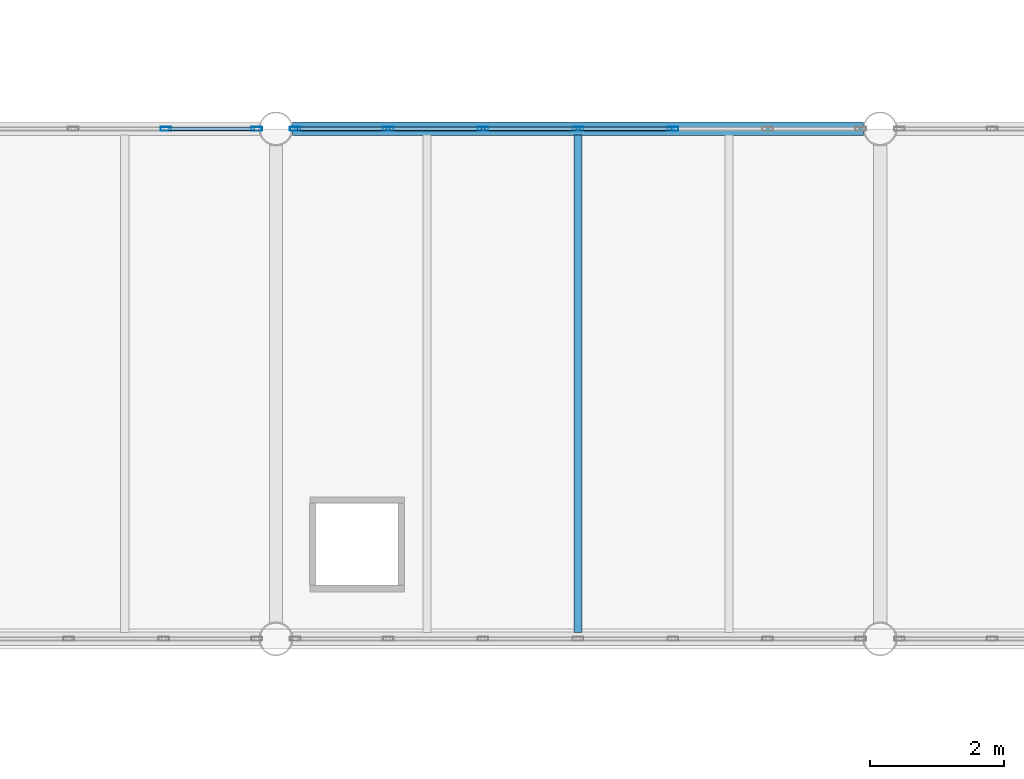
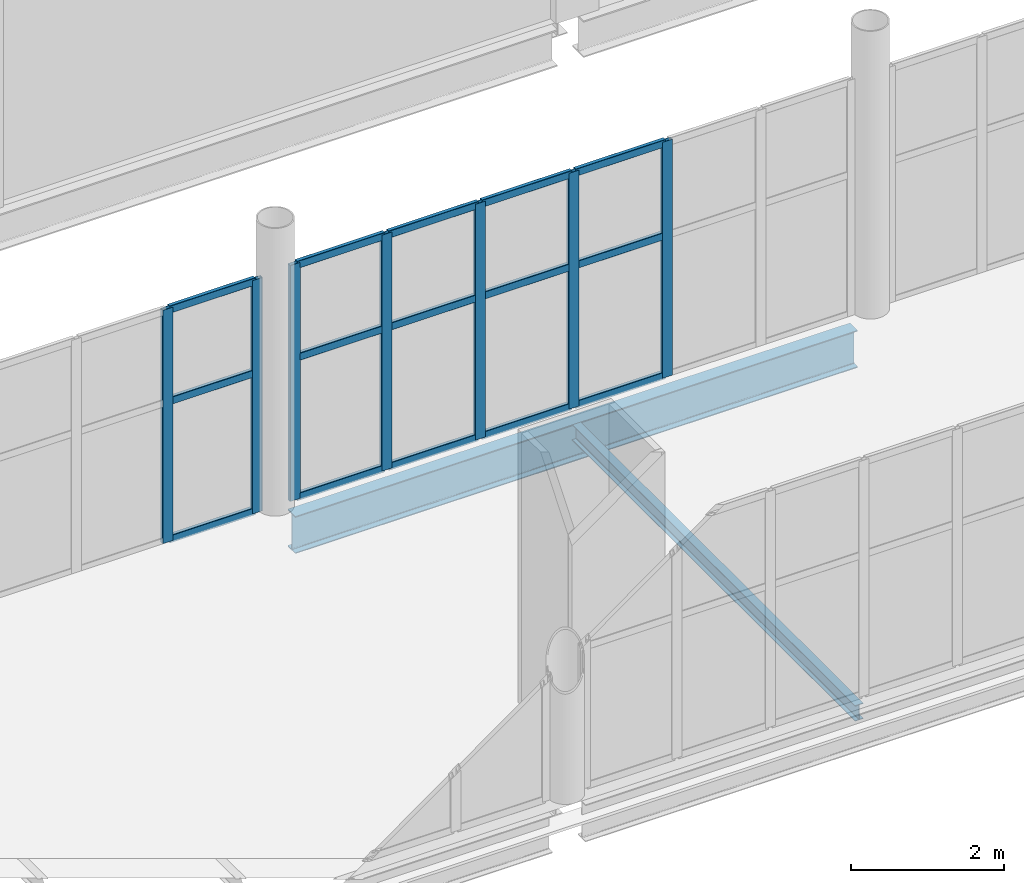
# One storey, part 92 of 172: 22 members, 2 beams, 2 elements without a shape of their own.
"""IFC4 building model written with IfcOpenShell, lengths in metres."""

import ifcopenshell
import ifcopenshell.guid

model = None  # the IFC model being written
_history = None  # IfcOwnerHistory: only IFC2X3 demands one
_inside = {}  # id of a spatial element -> (the spatial element, [elements in it])
_under = {}  # id of a project, library or spatial element -> (it, [spatial elements below it])
_declared = {}  # id of a project -> (the project, [libraries it declares])
_typed = {}  # id of a type object -> (the type object, [elements of that type])
_made_of = {}  # id of a material, layer set ... -> (it, [elements and type objects made of it])


def new_model(schema):
    """Start an empty IFC model of exactly this schema.

    Asked for "IFC4X3", IfcOpenShell would pick the latest addendum, in which some entities
    have other attributes; the version numbers below select the first issue.
    IFC2X3 requires an IfcOwnerHistory on every rooted entity: one is made here for all.
    """
    global model, _history
    if schema == "IFC4X3":
        model = ifcopenshell.file(schema_version=(4, 3, 0, 0))
    else:
        model = ifcopenshell.file(schema=schema)
    _inside.clear()
    _under.clear()
    _declared.clear()
    _typed.clear()
    _made_of.clear()
    _history = None
    if model.schema == "IFC2X3":
        org = make("IfcOrganization", Name="unknown")
        user = make(
            "IfcPersonAndOrganization",
            ThePerson=make("IfcPerson", FamilyName="unknown"),
            TheOrganization=org,
        )
        app = make(
            "IfcApplication",
            ApplicationDeveloper=org,
            Version="unknown",
            ApplicationFullName="unknown",
            ApplicationIdentifier="unknown",
        )
        _history = make(
            "IfcOwnerHistory",
            OwningUser=user,
            OwningApplication=app,
            ChangeAction="ADDED",
            CreationDate=0,
        )
    return model


def make(cls, **values):
    """One entity of the class cls with the attributes given. An attribute that is None is left unset."""
    return model.create_entity(
        cls, **{name: value for name, value in values.items() if value is not None}
    )


def rooted(cls, **values):
    """An entity with a GlobalId (a new one), such as an element, a storey or a relation."""
    return make(cls, GlobalId=ifcopenshell.guid.new(), OwnerHistory=_history, **values)


def si_unit(unit_type, name, prefix=None):
    """IfcSIUnit, for example si_unit("LENGTHUNIT", "METRE", prefix="MILLI")."""
    return make("IfcSIUnit", UnitType=unit_type, Prefix=prefix, Name=name)


def assignment(units):
    """IfcUnitAssignment: the units of a project."""
    return None if units is None else make("IfcUnitAssignment", Units=units)


def point(xyz):
    """IfcCartesianPoint."""
    return None if xyz is None else make("IfcCartesianPoint", Coordinates=xyz)


def direction(xyz):
    """IfcDirection."""
    return None if xyz is None else make("IfcDirection", DirectionRatios=xyz)


def frame(location, z_axis=None, x_axis=None):
    """IfcAxis2Placement3D, a coordinate frame: its origin and axes. An axis left out is left unset."""
    return make(
        "IfcAxis2Placement3D",
        Location=point(location),
        Axis=direction(z_axis),
        RefDirection=direction(x_axis),
    )


def frame_2d(location, x_axis=None):
    """IfcAxis2Placement2D, a coordinate frame in the plane: its origin and x axis."""
    return make(
        "IfcAxis2Placement2D", Location=point(location), RefDirection=direction(x_axis)
    )


def origin():
    """The frame at (0, 0, 0) with its axes left unset."""
    return frame((0.0, 0.0, 0.0))


def origin_2d():
    """The frame at (0, 0) in the plane with its x axis left unset."""
    return frame_2d((0.0, 0.0))


def place(relative_to, where):
    """IfcLocalPlacement: puts the frame where relative to a parent placement (None: the world)."""
    return make(
        "IfcLocalPlacement", PlacementRelTo=relative_to, RelativePlacement=where
    )


def context(
    kind, dimensions, precision=None, world=None, true_north=None, identifier=None
):
    """IfcGeometricRepresentationContext, for example the 3D "Model" context."""
    return make(
        "IfcGeometricRepresentationContext",
        ContextIdentifier=identifier,
        ContextType=kind,
        CoordinateSpaceDimension=dimensions,
        Precision=precision,
        WorldCoordinateSystem=world,
        TrueNorth=true_north,
    )


def subcontext(parent, identifier, kind, view, scale=None):
    """IfcGeometricRepresentationSubContext, for example "Body" below "Model"."""
    return make(
        "IfcGeometricRepresentationSubContext",
        ContextIdentifier=identifier,
        ContextType=kind,
        ParentContext=parent,
        TargetScale=scale,
        TargetView=view,
    )


def project(units=None, contexts=None):
    """IfcProject with its units and contexts."""
    return rooted(
        "IfcProject",
        Name="project",
        RepresentationContexts=contexts,
        UnitsInContext=assignment(units),
    )


def spatial(cls, under=None, at=None, **own):
    """A site, building, storey or space (cls), placed at a placement, below another one or the project."""
    s = rooted(cls, ObjectPlacement=at, **own)
    if under is not None:
        _under.setdefault(under.id(), (under, []))[1].append(s)
    return s


def profile(cls, at=None, kind="AREA", **sizes):
    """A parametric profile (cls). Its sizes go by their IFC names, for example OverallWidth=200.0."""
    return make(cls, ProfileType=kind, Position=at, **sizes)


def hollow_rectangle(**sizes):
    """IfcRectangleHollowProfileDef."""
    return profile("IfcRectangleHollowProfileDef", **sizes)


def i_section(**sizes):
    """IfcIShapeProfileDef."""
    return profile("IfcIShapeProfileDef", **sizes)


def extrude(swept, where, along, depth):
    """IfcExtrudedAreaSolid: the profile swept, set in the frame where, extruded along a direction by depth."""
    return make(
        "IfcExtrudedAreaSolid",
        SweptArea=swept,
        Position=where,
        ExtrudedDirection=direction(along),
        Depth=depth,
    )


def shape(context_of_items, identifier, shape_type, items):
    """IfcShapeRepresentation: the items that make up one representation, for example the "Body"."""
    return make(
        "IfcShapeRepresentation",
        ContextOfItems=context_of_items,
        RepresentationIdentifier=identifier,
        RepresentationType=shape_type,
        Items=items,
    )


def material(Name=None, Category=None):
    """IfcMaterial."""
    return make("IfcMaterial", Name=Name, Category=Category)


def material_profile(
    of_material, cross_section, Name=None, Category=None, Priority=None
):
    """IfcMaterialProfile: a cross section and its material."""
    return make(
        "IfcMaterialProfile",
        Name=Name,
        Material=of_material,
        Profile=cross_section,
        Priority=Priority,
        Category=Category,
    )


def profile_set(profiles, Name=None, composite=None):
    """IfcMaterialProfileSet."""
    return make(
        "IfcMaterialProfileSet",
        Name=Name,
        MaterialProfiles=profiles,
        CompositeProfile=composite,
    )


def made_of(thing, what):
    """Note that an element or type object is made of a material, layer set ...; save() writes the relation."""
    if what is not None:
        _made_of.setdefault(what.id(), (what, []))[1].append(thing)
    return thing


def type_object(cls, material=None, **own):
    """A type object (cls), such as IfcWallType, which elements share."""
    return made_of(rooted(cls, **own), material)


def element(
    cls,
    number,
    at=None,
    inside=None,
    cuts=None,
    type_object=None,
    material=None,
    context=None,
    identifier="Body",
    shape_type=None,
    held_by="IfcProductDefinitionShape",
    body=None,
    shapes=None,
    **own,
):
    """One element of the class cls, such as IfcWall. Its Tag is "e" and its number.

    at: its placement. inside: the storey or other place that contains it. cuts: it is an
    opening in that element (IfcRelVoidsElement). A single representation is given by context,
    identifier, shape_type and body (its items); several are given by shapes. held_by: the class
    of the entity that holds the representations. save() writes the other relations.
    """
    e = rooted(cls, Tag="e%d" % number, ObjectPlacement=at, **own)
    if body is not None:
        shapes = [shape(context, identifier, shape_type, body)]
    if shapes is not None:
        e.Representation = make(held_by, Representations=shapes)
    if inside is not None:
        _inside.setdefault(inside.id(), (inside, []))[1].append(e)
    if cuts is not None:
        rooted(
            "IfcRelVoidsElement", RelatingBuildingElement=cuts, RelatedOpeningElement=e
        )
    if type_object is not None:
        _typed.setdefault(type_object.id(), (type_object, []))[1].append(e)
    return made_of(e, material)


def aggregate(whole, parts):
    """IfcRelAggregates: a whole, such as a stair, and the parts it consists of."""
    return rooted("IfcRelAggregates", RelatingObject=whole, RelatedObjects=parts)


def save(model, path):
    """Write the relations noted so far, then the file.

    IfcRelAggregates (storeys below a building ...), IfcRelContainedInSpatialStructure (elements
    in a storey), IfcRelDefinesByType, IfcRelAssociatesMaterial and IfcRelDeclares: one each for
    every whole, place, type object, material and project.
    """
    for whole, parts in _under.values():
        aggregate(whole, parts)
    for where, things in _inside.values():
        rooted(
            "IfcRelContainedInSpatialStructure",
            RelatedElements=things,
            RelatingStructure=where,
        )
    for kind, things in _typed.values():
        rooted("IfcRelDefinesByType", RelatedObjects=things, RelatingType=kind)
    for what, things in _made_of.values():
        rooted("IfcRelAssociatesMaterial", RelatedObjects=things, RelatingMaterial=what)
    for by, libraries in _declared.values():
        rooted("IfcRelDeclares", RelatingContext=by, RelatedDefinitions=libraries)
    model.write(path)


model = new_model("IFC4")

# Units and contexts
model_context = context("Model", 3, precision=1e-05, world=origin(), true_north=direction((0.0, 1.0)))
body_context = subcontext(model_context, "Body", "Model", "MODEL_VIEW")
ifc_project = project(units=[si_unit("LENGTHUNIT", "METRE"), si_unit("AREAUNIT", "SQUARE_METRE"), si_unit("VOLUMEUNIT", "CUBIC_METRE"), si_unit("PLANEANGLEUNIT", "RADIAN"), si_unit("MASSUNIT", "GRAM", prefix="KILO")], contexts=[model_context])

# Site, building, storey
site_placement = place(None, origin())
site = spatial("IfcSite", under=ifc_project, at=site_placement, CompositionType="ELEMENT")
building_placement = place(site_placement, origin())
building = spatial("IfcBuilding", under=site, at=building_placement, Name="Shengluoqiao Park Theatre", CompositionType="ELEMENT")
storey_placement = place(building_placement, frame((0.0, 0.0, 5.39990234375)))
storey = spatial("IfcBuildingStorey", under=building, at=storey_placement, Name="L01", CompositionType="ELEMENT", Elevation=5.39990234375)

# Curtain wall, members
ifc_material_1 = material(Name="Aluminium 6063-T6", Category="aluminium")
curtain_wall_type = type_object("IfcCurtainWallType", Name="ENV-CW-BRIDGE", PredefinedType="NOTDEFINED", material=ifc_material_1)
curtain_wall_1_placement = place(storey_placement, origin())
curtain_wall_1 = element("IfcCurtainWall", 1, at=curtain_wall_1_placement, inside=storey, type_object=curtain_wall_type, Name="L01 Curtain Wall CWX-L01-0102", PredefinedType="NOTDEFINED")
ifc_material_profile_1 = material_profile(ifc_material_1, hollow_rectangle(XDim=0.06005859375, YDim=0.159912109375, WallThickness=0.00390625, InnerFilletRadius=0.00390625, OuterFilletRadius=0.008056640625, at=origin_2d()), Name="ALU MULLION 160x60x4")
ifc_profile_set_1 = profile_set([ifc_material_profile_1], Name="Aluminium 6063-T6")
member_type_1 = type_object("IfcMemberType", Name="ENV-MUL-160", PredefinedType="MULLION", material=ifc_profile_set_1)
member_1_placement = place(storey_placement, frame((119.7607421875, 76.0, 0.0), z_axis=(0.0, 0.0, 1.0), x_axis=(0.0, 1.0, 0.0)))
member_1 = element("IfcMember", 2, at=member_1_placement, type_object=member_type_1, Name="CW-03 mullion 6", PredefinedType="MULLION", context=body_context, shape_type="SweptSolid", body=[
    extrude(hollow_rectangle(XDim=0.06005859375, YDim=0.159912109375, WallThickness=0.00390625, InnerFilletRadius=0.00390625, OuterFilletRadius=0.008056640625, at=origin_2d()), origin(), (0.0, 0.0, 1.0), 3.732177734375),
])
member_2_placement = place(storey_placement, frame((121.112060546875, 76.0, 0.0), z_axis=(0.0, 0.0, 1.0), x_axis=(0.0, 1.0, 0.0)))
member_2 = element("IfcMember", 3, at=member_2_placement, type_object=member_type_1, Name="CW-03 mullion 7", PredefinedType="MULLION", context=body_context, shape_type="SweptSolid", body=[
    extrude(hollow_rectangle(XDim=0.06005859375, YDim=0.159912109375, WallThickness=0.00390625, InnerFilletRadius=0.00390625, OuterFilletRadius=0.008056640625, at=origin_2d()), origin(), (0.0, 0.0, 1.0), 3.732177734375),
])

curtain_wall_2_placement = place(storey_placement, origin())
curtain_wall_2 = element("IfcCurtainWall", 4, at=curtain_wall_2_placement, inside=storey, type_object=curtain_wall_type, Name="L01 Curtain Wall CWX-L01-0103", PredefinedType="NOTDEFINED")
member_3_placement = place(storey_placement, frame((121.68798828125, 76.0, 0.0), z_axis=(0.0, 0.0, 1.0), x_axis=(0.0, 1.0, 0.0)))
member_3 = element("IfcMember", 5, at=member_3_placement, type_object=member_type_1, Name="CW-03 mullion 1", PredefinedType="MULLION", context=body_context, shape_type="SweptSolid", body=[
    extrude(hollow_rectangle(XDim=0.06005859375, YDim=0.159912109375, WallThickness=0.00390625, InnerFilletRadius=0.00390625, OuterFilletRadius=0.008056640625, at=origin_2d()), origin(), (0.0, 0.0, 1.0), 3.772216796875),
])
member_4_placement = place(storey_placement, frame((123.072021484375, 76.0, 0.0), z_axis=(0.0, 0.0, 1.0), x_axis=(0.0, 1.0, 0.0)))
member_4 = element("IfcMember", 6, at=member_4_placement, type_object=member_type_1, Name="CW-03 mullion 2", PredefinedType="MULLION", context=body_context, shape_type="SweptSolid", body=[
    extrude(hollow_rectangle(XDim=0.06005859375, YDim=0.159912109375, WallThickness=0.00390625, InnerFilletRadius=0.00390625, OuterFilletRadius=0.008056640625, at=origin_2d()), origin(), (0.0, 0.0, 1.0), 3.772216796875),
])
member_5_placement = place(storey_placement, frame((124.486083984375, 76.0, 0.0), z_axis=(0.0, 0.0, 1.0), x_axis=(0.0, 1.0, 0.0)))
member_5 = element("IfcMember", 7, at=member_5_placement, type_object=member_type_1, Name="CW-03 mullion 3", PredefinedType="MULLION", context=body_context, shape_type="SweptSolid", body=[
    extrude(hollow_rectangle(XDim=0.06005859375, YDim=0.159912109375, WallThickness=0.00390625, InnerFilletRadius=0.00390625, OuterFilletRadius=0.008056640625, at=origin_2d()), origin(), (0.0, 0.0, 1.0), 3.772216796875),
])
member_6_placement = place(storey_placement, frame((125.89990234375, 76.0, 0.0), z_axis=(0.0, 0.0, 1.0), x_axis=(0.0, 1.0, 0.0)))
member_6 = element("IfcMember", 8, at=member_6_placement, type_object=member_type_1, Name="CW-03 mullion 4", PredefinedType="MULLION", context=body_context, shape_type="SweptSolid", body=[
    extrude(hollow_rectangle(XDim=0.06005859375, YDim=0.159912109375, WallThickness=0.00390625, InnerFilletRadius=0.00390625, OuterFilletRadius=0.008056640625, at=origin_2d()), origin(), (0.0, 0.0, 1.0), 3.772216796875),
])
member_7_placement = place(storey_placement, frame((127.31396484375, 76.0, 0.0), z_axis=(0.0, 0.0, 1.0), x_axis=(0.0, 1.0, 0.0)))
member_7 = element("IfcMember", 9, at=member_7_placement, type_object=member_type_1, Name="CW-03 mullion 5", PredefinedType="MULLION", context=body_context, shape_type="SweptSolid", body=[
    extrude(hollow_rectangle(XDim=0.06005859375, YDim=0.159912109375, WallThickness=0.00390625, InnerFilletRadius=0.00390625, OuterFilletRadius=0.008056640625, at=origin_2d()), origin(), (0.0, 0.0, 1.0), 3.772216796875),
])

# Member
ifc_material_profile_2 = material_profile(ifc_material_1, hollow_rectangle(XDim=0.06005859375, YDim=0.1201171875, WallThickness=0.00390625, InnerFilletRadius=0.00390625, OuterFilletRadius=0.008056640625, at=origin_2d()), Name="ALU TRANSOM 120x60x4")
ifc_profile_set_2 = profile_set([ifc_material_profile_2], Name="Aluminium 6063-T6")
member_type_2 = type_object("IfcMemberType", Name="ENV-TRN-120", PredefinedType="USERDEFINED", material=ifc_profile_set_2)
member_8_placement = place(storey_placement, frame((119.790771484375, 76.0, 0.030029296875), z_axis=(1.0, 0.0, 0.0), x_axis=(0.0, 1.0, 0.0)))
member_8 = element("IfcMember", 10, at=member_8_placement, type_object=member_type_2, Name="CW-03 transom 6.1", ObjectType="TRANSOM", PredefinedType="USERDEFINED", context=body_context, shape_type="SweptSolid", body=[
    extrude(hollow_rectangle(XDim=0.06005859375, YDim=0.1201171875, WallThickness=0.00390625, InnerFilletRadius=0.00390625, OuterFilletRadius=0.008056640625, at=origin_2d()), origin(), (0.0, 0.0, 1.0), 1.291259765625),
])

member_9_placement = place(storey_placement, frame((119.790771484375, 76.0, 2.239013671875), z_axis=(1.0, 0.0, 0.0), x_axis=(0.0, 1.0, 0.0)))
member_9 = element("IfcMember", 11, at=member_9_placement, type_object=member_type_2, Name="CW-03 transom 6.2", ObjectType="TRANSOM", PredefinedType="USERDEFINED", context=body_context, shape_type="SweptSolid", body=[
    extrude(hollow_rectangle(XDim=0.06005859375, YDim=0.1201171875, WallThickness=0.00390625, InnerFilletRadius=0.00390625, OuterFilletRadius=0.008056640625, at=origin_2d()), origin(), (0.0, 0.0, 1.0), 1.291259765625),
])

member_10_placement = place(storey_placement, frame((119.790771484375, 76.0, 3.7021484375), z_axis=(1.0, 0.0, 0.0), x_axis=(0.0, 1.0, 0.0)))
member_10 = element("IfcMember", 12, at=member_10_placement, type_object=member_type_2, Name="CW-03 transom 6.3", ObjectType="TRANSOM", PredefinedType="USERDEFINED", context=body_context, shape_type="SweptSolid", body=[
    extrude(hollow_rectangle(XDim=0.06005859375, YDim=0.1201171875, WallThickness=0.00390625, InnerFilletRadius=0.00390625, OuterFilletRadius=0.008056640625, at=origin_2d()), origin(), (0.0, 0.0, 1.0), 1.291259765625),
])

aggregate(curtain_wall_1, [member_1, member_2, member_8, member_9, member_10])

member_11_placement = place(storey_placement, frame((121.718017578125, 76.0, 0.030029296875), z_axis=(1.0, 0.0, 0.0), x_axis=(0.0, 1.0, 0.0)))
member_11 = element("IfcMember", 13, at=member_11_placement, type_object=member_type_2, Name="CW-03 transom 1.1", ObjectType="TRANSOM", PredefinedType="USERDEFINED", context=body_context, shape_type="SweptSolid", body=[
    extrude(hollow_rectangle(XDim=0.06005859375, YDim=0.1201171875, WallThickness=0.00390625, InnerFilletRadius=0.00390625, OuterFilletRadius=0.008056640625, at=origin_2d()), origin(), (0.0, 0.0, 1.0), 1.323974609375),
])

member_12_placement = place(storey_placement, frame((121.718017578125, 76.0, 2.26318359375), z_axis=(1.0, 0.0, 0.0), x_axis=(0.0, 1.0, 0.0)))
member_12 = element("IfcMember", 14, at=member_12_placement, type_object=member_type_2, Name="CW-03 transom 1.2", ObjectType="TRANSOM", PredefinedType="USERDEFINED", context=body_context, shape_type="SweptSolid", body=[
    extrude(hollow_rectangle(XDim=0.06005859375, YDim=0.1201171875, WallThickness=0.00390625, InnerFilletRadius=0.00390625, OuterFilletRadius=0.008056640625, at=origin_2d()), origin(), (0.0, 0.0, 1.0), 1.323974609375),
])

member_13_placement = place(storey_placement, frame((121.718017578125, 76.0, 3.7421875), z_axis=(1.0, 0.0, 0.0), x_axis=(0.0, 1.0, 0.0)))
member_13 = element("IfcMember", 15, at=member_13_placement, type_object=member_type_2, Name="CW-03 transom 1.3", ObjectType="TRANSOM", PredefinedType="USERDEFINED", context=body_context, shape_type="SweptSolid", body=[
    extrude(hollow_rectangle(XDim=0.06005859375, YDim=0.1201171875, WallThickness=0.00390625, InnerFilletRadius=0.00390625, OuterFilletRadius=0.008056640625, at=origin_2d()), origin(), (0.0, 0.0, 1.0), 1.323974609375),
])

member_14_placement = place(storey_placement, frame((123.10205078125, 76.0, 0.030029296875), z_axis=(1.0, 0.0, 0.0), x_axis=(0.0, 1.0, 0.0)))
member_14 = element("IfcMember", 16, at=member_14_placement, type_object=member_type_2, Name="CW-03 transom 2.1", ObjectType="TRANSOM", PredefinedType="USERDEFINED", context=body_context, shape_type="SweptSolid", body=[
    extrude(hollow_rectangle(XDim=0.06005859375, YDim=0.1201171875, WallThickness=0.00390625, InnerFilletRadius=0.00390625, OuterFilletRadius=0.008056640625, at=origin_2d()), origin(), (0.0, 0.0, 1.0), 1.35400390625),
])

member_15_placement = place(storey_placement, frame((123.10205078125, 76.0, 2.26318359375), z_axis=(1.0, 0.0, 0.0), x_axis=(0.0, 1.0, 0.0)))
member_15 = element("IfcMember", 17, at=member_15_placement, type_object=member_type_2, Name="CW-03 transom 2.2", ObjectType="TRANSOM", PredefinedType="USERDEFINED", context=body_context, shape_type="SweptSolid", body=[
    extrude(hollow_rectangle(XDim=0.06005859375, YDim=0.1201171875, WallThickness=0.00390625, InnerFilletRadius=0.00390625, OuterFilletRadius=0.008056640625, at=origin_2d()), origin(), (0.0, 0.0, 1.0), 1.35400390625),
])

member_16_placement = place(storey_placement, frame((123.10205078125, 76.0, 3.7421875), z_axis=(1.0, 0.0, 0.0), x_axis=(0.0, 1.0, 0.0)))
member_16 = element("IfcMember", 18, at=member_16_placement, type_object=member_type_2, Name="CW-03 transom 2.3", ObjectType="TRANSOM", PredefinedType="USERDEFINED", context=body_context, shape_type="SweptSolid", body=[
    extrude(hollow_rectangle(XDim=0.06005859375, YDim=0.1201171875, WallThickness=0.00390625, InnerFilletRadius=0.00390625, OuterFilletRadius=0.008056640625, at=origin_2d()), origin(), (0.0, 0.0, 1.0), 1.35400390625),
])

member_17_placement = place(storey_placement, frame((124.51611328125, 76.0, 0.030029296875), z_axis=(1.0, 0.0, 0.0), x_axis=(0.0, 1.0, 0.0)))
member_17 = element("IfcMember", 19, at=member_17_placement, type_object=member_type_2, Name="CW-03 transom 3.1", ObjectType="TRANSOM", PredefinedType="USERDEFINED", context=body_context, shape_type="SweptSolid", body=[
    extrude(hollow_rectangle(XDim=0.06005859375, YDim=0.1201171875, WallThickness=0.00390625, InnerFilletRadius=0.00390625, OuterFilletRadius=0.008056640625, at=origin_2d()), origin(), (0.0, 0.0, 1.0), 1.35400390625),
])

member_18_placement = place(storey_placement, frame((124.51611328125, 76.0, 2.26318359375), z_axis=(1.0, 0.0, 0.0), x_axis=(0.0, 1.0, 0.0)))
member_18 = element("IfcMember", 20, at=member_18_placement, type_object=member_type_2, Name="CW-03 transom 3.2", ObjectType="TRANSOM", PredefinedType="USERDEFINED", context=body_context, shape_type="SweptSolid", body=[
    extrude(hollow_rectangle(XDim=0.06005859375, YDim=0.1201171875, WallThickness=0.00390625, InnerFilletRadius=0.00390625, OuterFilletRadius=0.008056640625, at=origin_2d()), origin(), (0.0, 0.0, 1.0), 1.35400390625),
])

member_19_placement = place(storey_placement, frame((124.51611328125, 76.0, 3.7421875), z_axis=(1.0, 0.0, 0.0), x_axis=(0.0, 1.0, 0.0)))
member_19 = element("IfcMember", 21, at=member_19_placement, type_object=member_type_2, Name="CW-03 transom 3.3", ObjectType="TRANSOM", PredefinedType="USERDEFINED", context=body_context, shape_type="SweptSolid", body=[
    extrude(hollow_rectangle(XDim=0.06005859375, YDim=0.1201171875, WallThickness=0.00390625, InnerFilletRadius=0.00390625, OuterFilletRadius=0.008056640625, at=origin_2d()), origin(), (0.0, 0.0, 1.0), 1.35400390625),
])

member_20_placement = place(storey_placement, frame((125.929931640625, 76.0, 0.030029296875), z_axis=(1.0, 0.0, 0.0), x_axis=(0.0, 1.0, 0.0)))
member_20 = element("IfcMember", 22, at=member_20_placement, type_object=member_type_2, Name="CW-03 transom 4.1", ObjectType="TRANSOM", PredefinedType="USERDEFINED", context=body_context, shape_type="SweptSolid", body=[
    extrude(hollow_rectangle(XDim=0.06005859375, YDim=0.1201171875, WallThickness=0.00390625, InnerFilletRadius=0.00390625, OuterFilletRadius=0.008056640625, at=origin_2d()), origin(), (0.0, 0.0, 1.0), 1.35400390625),
])

member_21_placement = place(storey_placement, frame((125.929931640625, 76.0, 2.26318359375), z_axis=(1.0, 0.0, 0.0), x_axis=(0.0, 1.0, 0.0)))
member_21 = element("IfcMember", 23, at=member_21_placement, type_object=member_type_2, Name="CW-03 transom 4.2", ObjectType="TRANSOM", PredefinedType="USERDEFINED", context=body_context, shape_type="SweptSolid", body=[
    extrude(hollow_rectangle(XDim=0.06005859375, YDim=0.1201171875, WallThickness=0.00390625, InnerFilletRadius=0.00390625, OuterFilletRadius=0.008056640625, at=origin_2d()), origin(), (0.0, 0.0, 1.0), 1.35400390625),
])

member_22_placement = place(storey_placement, frame((125.929931640625, 76.0, 3.7421875), z_axis=(1.0, 0.0, 0.0), x_axis=(0.0, 1.0, 0.0)))
member_22 = element("IfcMember", 24, at=member_22_placement, type_object=member_type_2, Name="CW-03 transom 4.3", ObjectType="TRANSOM", PredefinedType="USERDEFINED", context=body_context, shape_type="SweptSolid", body=[
    extrude(hollow_rectangle(XDim=0.06005859375, YDim=0.1201171875, WallThickness=0.00390625, InnerFilletRadius=0.00390625, OuterFilletRadius=0.008056640625, at=origin_2d()), origin(), (0.0, 0.0, 1.0), 1.35400390625),
])

aggregate(curtain_wall_2, [member_3, member_4, member_5, member_6, member_7, member_11, member_12, member_13, member_14, member_15, member_16, member_17, member_18, member_19, member_20, member_21, member_22])

# Beams
ifc_material_2 = material(Name="Steel Q355", Category="steel")
ifc_material_profile_3 = material_profile(ifc_material_2, i_section(OverallWidth=0.125, OverallDepth=0.25, WebThickness=0.006103515625, FlangeThickness=0.009033203125, FilletRadius=0.010009765625, at=origin_2d()), Name="HN 250x125x6x9")
ifc_profile_set_3 = profile_set([ifc_material_profile_3], Name="Steel Q355")
beam_type_1 = type_object("IfcBeamType", Name="STR-BM-J-HN250", PredefinedType="JOIST", material=ifc_profile_set_3)
beam_1_placement = place(storey_placement, frame((125.89990234375, 68.494384765625, -0.3349609375), z_axis=(0.0, 1.0, 0.0), x_axis=(-1.0, 0.0, 0.0)))
element("IfcBeam", 25, at=beam_1_placement, inside=storey, type_object=beam_type_1, Name="L01 Composite Joist 00550", PredefinedType="JOIST", context=body_context, shape_type="SweptSolid", body=[
    extrude(i_section(OverallWidth=0.125, OverallDepth=0.25, WebThickness=0.006103515625, FlangeThickness=0.009033203125, FilletRadius=0.010009765625, at=origin_2d()), origin(), (0.0, 0.0, 1.0), 7.4111328125),
])
ifc_material_profile_4 = material_profile(ifc_material_2, i_section(OverallWidth=0.198974609375, OverallDepth=0.595947265625, WebThickness=0.010009765625, FlangeThickness=0.014892578125, FilletRadius=0.02001953125, at=origin_2d()), Name="HN 596x199x10x15")
ifc_profile_set_4 = profile_set([ifc_material_profile_4], Name="Steel Q355")
beam_type_2 = type_object("IfcBeamType", Name="STR-BM-SP-HN596", PredefinedType="SPANDREL", material=ifc_profile_set_4)
beam_2_placement = place(storey_placement, frame((121.64794921875, 76.0, -0.5078125), z_axis=(1.0, 0.0, 0.0), x_axis=(0.0, 1.0, 0.0)))
element("IfcBeam", 26, at=beam_2_placement, inside=storey, type_object=beam_type_2, Name="L01 Primary Girder 00525", PredefinedType="SPANDREL", context=body_context, shape_type="SweptSolid", body=[
    extrude(i_section(OverallWidth=0.198974609375, OverallDepth=0.595947265625, WebThickness=0.010009765625, FlangeThickness=0.014892578125, FilletRadius=0.02001953125, at=origin_2d()), origin(), (0.0, 0.0, 1.0), 8.504150390625),
])

save(model, "model.ifc")
